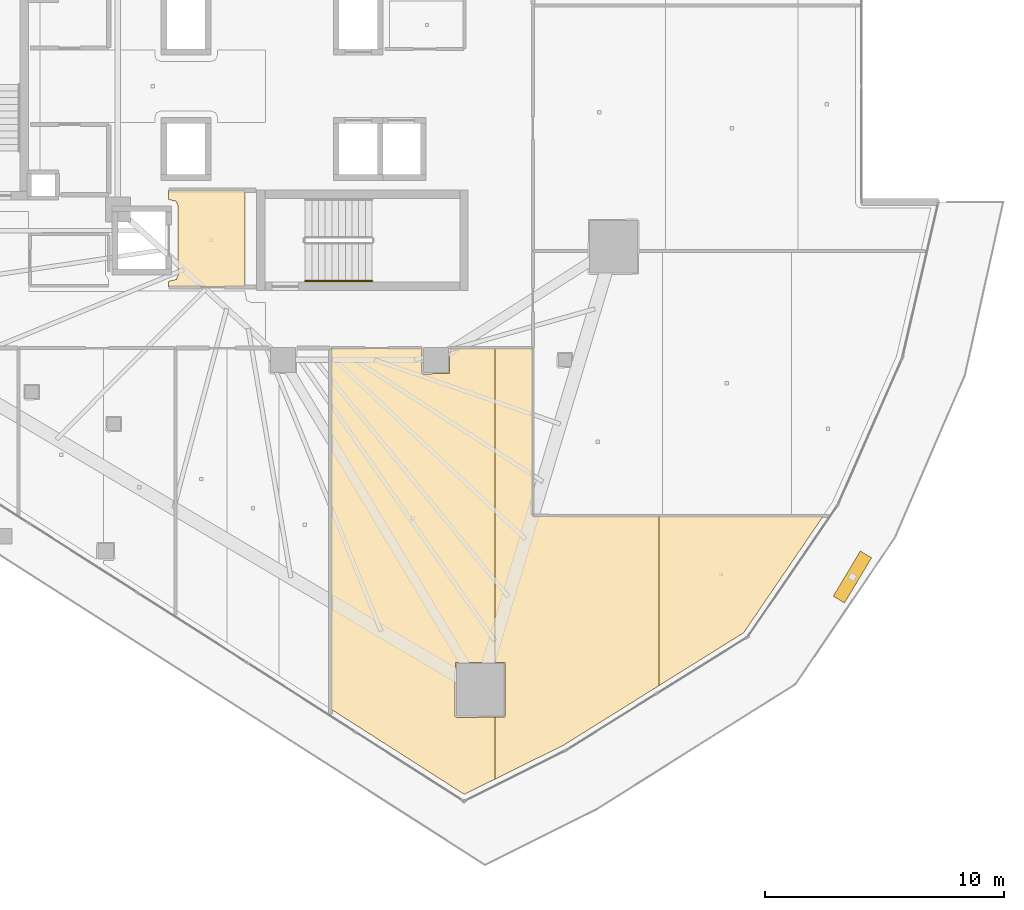
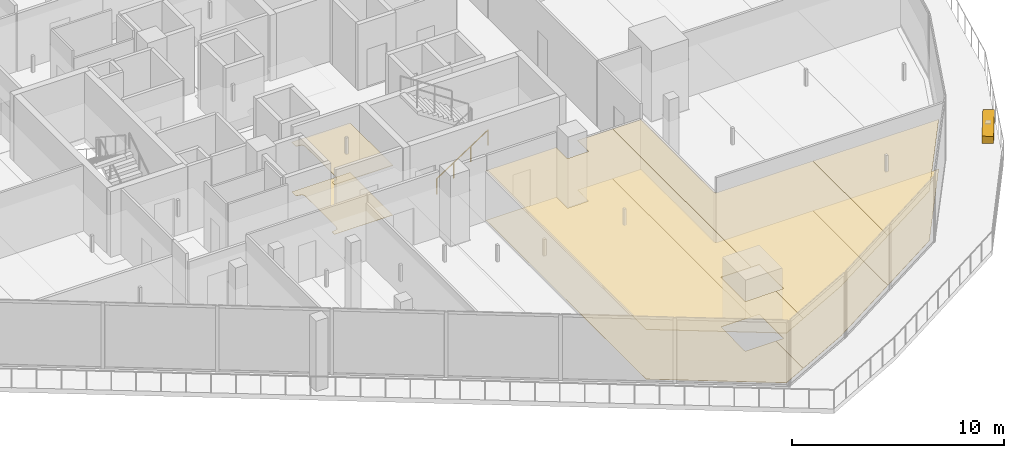
# One storey, part 33 of 38: 8 coverings, 1 railing, 1 shading device.
"""IFC4 building model written with IfcOpenShell, lengths in metres."""

from ifc_helpers import new_model, si_unit, direction, frame, origin, origin_2d, place, context, subcontext, project, spatial, polyline, rectangle, circle, outline, extrude, material, layer, layer_set, type_object, element, save


model = new_model("IFC4")

# Units and contexts
model_context = context("Model", 3, precision=1e-05, world=origin(), true_north=direction((0.0, 1.0)))
body_context = subcontext(model_context, "Body", "Model", "MODEL_VIEW")
ifc_project = project(units=[si_unit("LENGTHUNIT", "METRE"), si_unit("AREAUNIT", "SQUARE_METRE"), si_unit("VOLUMEUNIT", "CUBIC_METRE"), si_unit("PLANEANGLEUNIT", "RADIAN"), si_unit("MASSUNIT", "GRAM", prefix="KILO")], contexts=[model_context])

# Site, building, storey
site_placement = place(None, origin())
site = spatial("IfcSite", under=ifc_project, at=site_placement, CompositionType="ELEMENT")
building_placement = place(site_placement, origin())
building = spatial("IfcBuilding", under=site, at=building_placement, Name="Qorvath Tower", CompositionType="ELEMENT")
storey_placement = place(building_placement, frame((0.0, 0.0, 146.25)))
storey = spatial("IfcBuildingStorey", under=building, at=storey_placement, Name="L33", CompositionType="ELEMENT", Elevation=146.25)

# Coverings
ifc_material_1 = material(Name="Acoustic mineral fibre ceiling tile", Category="gypsum")
ifc_layer_1 = layer(ifc_material_1, 0.030029296875)
ifc_layer_set_1 = layer_set([ifc_layer_1], Name="COV-CEIL")
covering_type_1 = type_object("IfcCoveringType", Name="COV-CEIL", PredefinedType="CEILING", material=ifc_layer_set_1)
covering_1_placement = place(storey_placement, frame((0.0, 0.0, 2.85009765625)))
element("IfcCovering", 1, at=covering_1_placement, inside=storey, type_object=covering_type_1, Name="L33 Suspended Acoustic Ceiling 002", PredefinedType="CEILING", context=body_context, shape_type="SweptSolid", body=[
    extrude(outline(polyline([(-25.18994140625, -8.39501953125), (-25.18994140625, -4.35498046875), (-28.375, -4.35498046875), (-28.375, -4.739990234375), (-28.063232421875, -4.813232421875), (-27.989990234375, -4.989990234375), (-27.989990234375, -7.909912109375), (-28.063232421875, -8.086669921875), (-28.375, -8.159912109375), (-28.375, -8.39501953125), (-25.18994140625, -8.39501953125)])), origin(), (0.0, 0.0, 1.0), 0.030029296875),
])
covering_2_placement = place(storey_placement, frame((0.0, 0.0, 2.85009765625)))
element("IfcCovering", 2, at=covering_2_placement, inside=storey, type_object=covering_type_1, Name="L33 Suspended Acoustic Ceiling 026", PredefinedType="CEILING", context=body_context, shape_type="SweptSolid", body=[
    extrude(outline(polyline([(-21.59326171875, -26.056884765625), (-16.012451171875, -29.623779296875), (-14.728759765625, -28.98876953125), (-14.728759765625, -26.39208984375), (-16.34423828125, -26.406005859375), (-16.404296875, -26.34619140625), (-16.38671875, -24.103759765625), (-14.728759765625, -24.103759765625), (-14.728759765625, -10.962890625), (-16.614990234375, -10.962890625), (-16.632568359375, -12.017333984375), (-17.72509765625, -12.034912109375), (-17.784912109375, -11.97509765625), (-17.784912109375, -10.962890625), (-21.59326171875, -10.962890625), (-21.59326171875, -26.056884765625)])), origin(), (0.0, 0.0, 1.0), 0.030029296875),
])
covering_3_placement = place(storey_placement, frame((0.0, 0.0, 2.85009765625)))
element("IfcCovering", 3, at=covering_3_placement, inside=storey, type_object=covering_type_1, Name="L33 Suspended Acoustic Ceiling 027", PredefinedType="CEILING", context=body_context, shape_type="SweptSolid", body=[
    extrude(outline(polyline([(-14.728759765625, -10.962890625), (-14.728759765625, -24.103759765625), (-14.3017578125, -24.103759765625), (-14.3017578125, -26.388427734375), (-14.728759765625, -26.39208984375), (-14.728759765625, -28.98876953125), (-11.8681640625, -27.573974609375), (-7.864013671875, -25.074462890625), (-7.864013671875, -17.979736328125), (-13.14990234375, -17.97265625), (-13.155029296875, -10.962890625), (-14.728759765625, -10.962890625)])), origin(), (0.0, 0.0, 1.0), 0.030029296875),
])
covering_4_placement = place(storey_placement, frame((0.0, 0.0, 2.85009765625)))
element("IfcCovering", 4, at=covering_4_placement, inside=storey, type_object=covering_type_1, Name="L33 Suspended Acoustic Ceiling 028", PredefinedType="CEILING", context=body_context, shape_type="SweptSolid", body=[
    extrude(outline(polyline([(-7.864013671875, -17.979736328125), (-7.864013671875, -25.074462890625), (-4.325439453125, -22.86572265625), (-0.99951171875, -17.98876953125), (-7.864013671875, -17.979736328125)])), origin(), (0.0, 0.0, 1.0), 0.030029296875),
])
ifc_material_2 = material(Name="Low-VOC modular carpet tile", Category="textile")
ifc_layer_2 = layer(ifc_material_2, 0.014892578125)
ifc_layer_set_2 = layer_set([ifc_layer_2], Name="COV-FLOOR-CPT")
covering_type_2 = type_object("IfcCoveringType", Name="COV-FLOOR-CPT", PredefinedType="FLOORING", material=ifc_layer_set_2)
covering_5_placement = place(storey_placement, origin())
element("IfcCovering", 5, at=covering_5_placement, inside=storey, type_object=covering_type_2, Name="L33 Floor Finish 026", PredefinedType="FLOORING", context=body_context, shape_type="SweptSolid", body=[
    extrude(outline(polyline([(-21.59326171875, -26.056884765625), (-16.012451171875, -29.623779296875), (-14.728759765625, -28.98876953125), (-14.728759765625, -26.39208984375), (-16.34423828125, -26.406005859375), (-16.404296875, -26.34619140625), (-16.38671875, -24.103759765625), (-14.728759765625, -24.103759765625), (-14.728759765625, -10.962890625), (-16.614990234375, -10.962890625), (-16.632568359375, -12.017333984375), (-17.72509765625, -12.034912109375), (-17.784912109375, -11.97509765625), (-17.784912109375, -10.962890625), (-21.59326171875, -10.962890625), (-21.59326171875, -26.056884765625)])), origin(), (0.0, 0.0, 1.0), 0.014892578125),
])
covering_6_placement = place(storey_placement, origin())
element("IfcCovering", 6, at=covering_6_placement, inside=storey, type_object=covering_type_2, Name="L33 Floor Finish 027", PredefinedType="FLOORING", context=body_context, shape_type="SweptSolid", body=[
    extrude(outline(polyline([(-14.728759765625, -10.962890625), (-14.728759765625, -24.103759765625), (-14.3017578125, -24.103759765625), (-14.3017578125, -26.388427734375), (-14.728759765625, -26.39208984375), (-14.728759765625, -28.98876953125), (-11.8681640625, -27.573974609375), (-7.864013671875, -25.074462890625), (-7.864013671875, -17.979736328125), (-13.14990234375, -17.97265625), (-13.155029296875, -10.962890625), (-14.728759765625, -10.962890625)])), origin(), (0.0, 0.0, 1.0), 0.014892578125),
])
covering_7_placement = place(storey_placement, origin())
element("IfcCovering", 7, at=covering_7_placement, inside=storey, type_object=covering_type_2, Name="L33 Floor Finish 028", PredefinedType="FLOORING", context=body_context, shape_type="SweptSolid", body=[
    extrude(outline(polyline([(-7.864013671875, -17.979736328125), (-7.864013671875, -25.074462890625), (-4.325439453125, -22.86572265625), (-0.99951171875, -17.98876953125), (-7.864013671875, -17.979736328125)])), origin(), (0.0, 0.0, 1.0), 0.014892578125),
])
ifc_material_3 = material(Name="Polished epoxy terrazzo flooring", Category="concrete")
ifc_layer_3 = layer(ifc_material_3, 0.02001953125)
ifc_layer_set_3 = layer_set([ifc_layer_3], Name="COV-FLOOR-TRZ")
covering_type_3 = type_object("IfcCoveringType", Name="COV-FLOOR-TRZ", PredefinedType="FLOORING", material=ifc_layer_set_3)
covering_8_placement = place(storey_placement, origin())
element("IfcCovering", 8, at=covering_8_placement, inside=storey, type_object=covering_type_3, Name="L33 Floor Finish 002", PredefinedType="FLOORING", context=body_context, shape_type="SweptSolid", body=[
    extrude(outline(polyline([(-25.18994140625, -8.39501953125), (-25.18994140625, -4.35498046875), (-28.375, -4.35498046875), (-28.375, -4.739990234375), (-28.063232421875, -4.813232421875), (-27.989990234375, -4.989990234375), (-27.989990234375, -7.909912109375), (-28.063232421875, -8.086669921875), (-28.375, -8.159912109375), (-28.375, -8.39501953125), (-25.18994140625, -8.39501953125)])), origin(), (0.0, 0.0, 1.0), 0.014892578125),
])

# Railing
ifc_material_4 = material(Name="Brushed stainless steel AISI 304", Category="steel")
railing_type = type_object("IfcRailingType", Name="RL-STR-HND", PredefinedType="HANDRAIL", material=ifc_material_4)
railing_placement = place(storey_placement, frame((-22.669921875, -8.14990234375, 0.18408203125)))
element("IfcRailing", 9, at=railing_placement, inside=storey, type_object=railing_type, Name="L33 TS2 stair handrail 1", PredefinedType="HANDRAIL", context=body_context, shape_type="SweptSolid", body=[
    extrude(circle(Radius=0.02392578125, at=origin_2d()), frame((0.0, 0.0, 0.8759765625), z_axis=(0.835575518608, 0.0, 0.549375602573), x_axis=(0.0, 1.0, 0.0)), (0.0, 0.0, 1.0), 3.350830078125),
    extrude(circle(Radius=0.02099609375, at=origin_2d()), origin(), (0.0, 0.0, 1.0), 0.851806640625),
    extrude(circle(Radius=0.02099609375, at=origin_2d()), frame((0.933349609375, 0.0, 0.613525390625)), (0.0, 0.0, 1.0), 0.851806640625),
    extrude(circle(Radius=0.02099609375, at=origin_2d()), frame((1.866455078125, 0.0, 1.227294921875)), (0.0, 0.0, 1.0), 0.851806640625),
    extrude(circle(Radius=0.02099609375, at=origin_2d()), frame((2.7998046875, 0.0, 1.8408203125)), (0.0, 0.0, 1.0), 0.851806640625),
])

# Shading device
ifc_material_5 = material(Name="Anodised bronze-champagne aluminium", Category="aluminium")
shading_device_type = type_object("IfcShadingDeviceType", Name="SD-LOUVRE", PredefinedType="JALOUSIE", material=ifc_material_5)
shading_device_placement = place(storey_placement, frame((0.225830078125, -20.53125, 3.360107421875), z_axis=(0.0, 0.0, 1.0), x_axis=(0.514726864832, 0.857354217707, 0.0)))
element("IfcShadingDevice", 10, at=shading_device_placement, inside=storey, type_object=shading_device_type, Name="Sinusoidal Wave Louvre Blade L33-02", PredefinedType="NOTDEFINED", context=body_context, shape_type="SweptSolid", body=[
    extrude(rectangle(XDim=2.199951171875, YDim=0.550048828125, at=origin_2d()), origin(), (0.0, 0.0, 1.0), 0.419921875),
])

save(model, "model.ifc")
